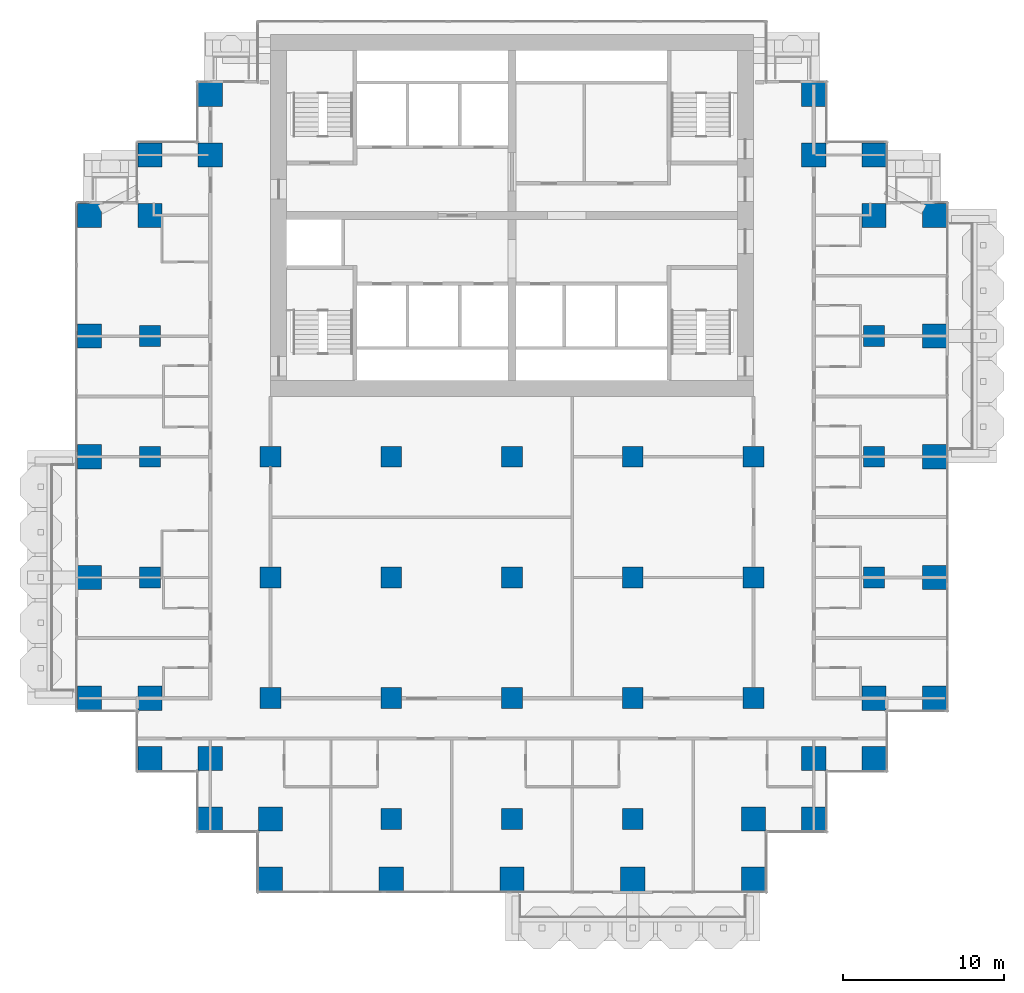
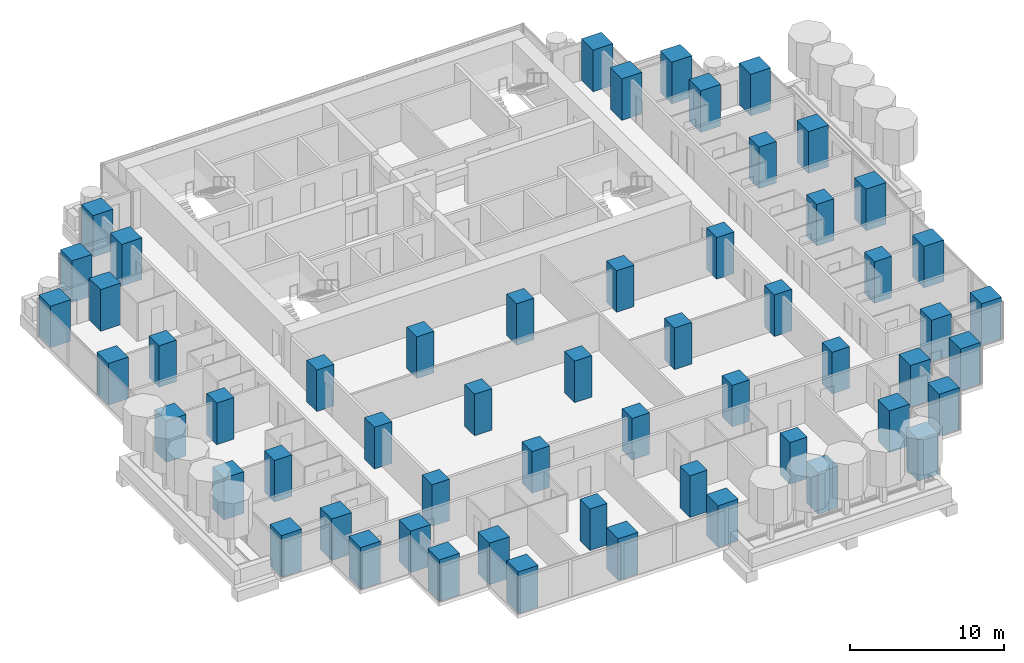
# One storey, part 1 of 19: 57 columns.
"""IFC4 building model written with IfcOpenShell, lengths in metres."""

from ifc_helpers import new_model, si_unit, direction, frame, origin, origin_2d, place, context, subcontext, project, spatial, rectangle, extrude, material, material_profile, profile_set, type_object, element, save


model = new_model("IFC4")

# Units and contexts
model_context = context("Model", 3, precision=1e-05, world=origin(), true_north=direction((0.0, 1.0)))
body_context = subcontext(model_context, "Body", "Model", "MODEL_VIEW")
ifc_project = project(units=[si_unit("LENGTHUNIT", "METRE"), si_unit("AREAUNIT", "SQUARE_METRE"), si_unit("VOLUMEUNIT", "CUBIC_METRE"), si_unit("PLANEANGLEUNIT", "RADIAN"), si_unit("MASSUNIT", "GRAM", prefix="KILO")], contexts=[model_context])

# Site, building, storey
site_placement = place(None, origin())
site = spatial("IfcSite", under=ifc_project, at=site_placement, CompositionType="ELEMENT")
building_placement = place(site_placement, origin())
building = spatial("IfcBuilding", under=site, at=building_placement, Name="Pilkhan Gate Tower", CompositionType="ELEMENT")
storey_placement = place(building_placement, frame((0.0, 0.0, 59.300048828125)))
storey = spatial("IfcBuildingStorey", under=building, at=storey_placement, Name="L12", CompositionType="ELEMENT", Elevation=59.300048828125)

# Columns
ifc_material = material(Name="Concrete C70/85", Category="concrete")
ifc_material_profile_1 = material_profile(ifc_material, rectangle(XDim=1.300048828125, YDim=1.300048828125, at=origin_2d()), Name="RC 1300x1300")
ifc_profile_set_1 = profile_set([ifc_material_profile_1], Name="Concrete C70/85")
column_type_1 = type_object("IfcColumnType", Name="Column C130 RC 1300x1300 C70/85", PredefinedType="COLUMN", material=ifc_profile_set_1)
for number, where, z_axis, x_axis, name in (
    (1, (52.5, 60.0, 0.0), (0.0, 0.0, 1.0), (1.0, 0.0, 0.0), "Column 5/F L12"),
    (2, (52.5, 67.5, 0.0), (0.0, 0.0, 1.0), (1.0, 0.0, 0.0), "Column 5/H L12"),
    (3, (52.5, 75.0, 0.0), (0.0, 0.0, 1.0), (1.0, 0.0, 0.0), "Column 5/K L12"),
    (4, (60.0, 52.5, 0.0), (0.0, 0.0, 1.0), (1.0, 0.0, 0.0), "Column 7/D L12"),
    (5, (60.0, 60.0, 0.0), (0.0, 0.0, 1.0), (1.0, 0.0, 0.0), "Column 7/F L12"),
    (6, (60.0, 67.5, 0.0), (0.0, 0.0, 1.0), (1.0, 0.0, 0.0), "Column 7/H L12"),
    (7, (67.5, 45.0, 0.0), (0.0, 0.0, 1.0), (1.0, 0.0, 0.0), "Column 9/B L12"),
    (8, (67.5, 52.5, 0.0), (0.0, 0.0, 1.0), (1.0, 0.0, 0.0), "Column 9/D L12"),
    (9, (67.5, 60.0, 0.0), (0.0, 0.0, 1.0), (1.0, 0.0, 0.0), "Column 9/F L12"),
    (10, (67.5, 67.5, 0.0), (0.0, 0.0, 1.0), (1.0, 0.0, 0.0), "Column 9/H L12"),
    (11, (75.0, 45.0, 0.0), (0.0, 0.0, 1.0), (1.0, 0.0, 0.0), "Column 11/B L12"),
    (12, (75.0, 52.5, 0.0), (0.0, 0.0, 1.0), (1.0, 0.0, 0.0), "Column 11/D L12"),
    (13, (75.0, 60.0, 0.0), (0.0, 0.0, 1.0), (1.0, 0.0, 0.0), "Column 11/F L12"),
    (14, (75.0, 67.5, 0.0), (0.0, 0.0, 1.0), (1.0, 0.0, 0.0), "Column 11/H L12"),
    (15, (82.5, 45.0, 0.0), (0.0, 0.0, 1.0), (1.0, 0.0, 0.0), "Column 13/B L12"),
    (16, (82.5, 52.5, 0.0), (0.0, 0.0, 1.0), (1.0, 0.0, 0.0), "Column 13/D L12"),
    (17, (82.5, 60.0, 0.0), (0.0, 0.0, 1.0), (1.0, 0.0, 0.0), "Column 13/F L12"),
    (18, (82.5, 67.5, 0.0), (0.0, 0.0, 1.0), (1.0, 0.0, 0.0), "Column 13/H L12"),
    (19, (90.0, 52.5, 0.0), (0.0, 0.0, 1.0), (1.0, 0.0, 0.0), "Column 15/D L12"),
    (20, (90.0, 60.0, 0.0), (0.0, 0.0, 1.0), (1.0, 0.0, 0.0), "Column 15/F L12"),
    (21, (90.0, 67.5, 0.0), (0.0, 0.0, 1.0), (1.0, 0.0, 0.0), "Column 15/H L12"),
    (22, (97.5, 60.0, 0.0), (0.0, 0.0, 1.0), (1.0, 0.0, 0.0), "Column 17/F L12"),
    (23, (97.5, 67.5, 0.0), (0.0, 0.0, 1.0), (1.0, 0.0, 0.0), "Column 17/H L12"),
    (24, (97.5, 75.0, 0.0), (0.0, 0.0, 1.0), (1.0, 0.0, 0.0), "Column 17/K L12"),
):
    element("IfcColumn", number, at=place(storey_placement, frame(where, z_axis=z_axis, x_axis=x_axis)), inside=storey, type_object=column_type_1, Name=name, PredefinedType="COLUMN", context=body_context, shape_type="SweptSolid", body=[
        extrude(rectangle(XDim=1.300048828125, YDim=1.300048828125, at=origin_2d()), origin(), (0.0, 0.0, 1.0), 3.300048828125),
    ])
ifc_material_profile_2 = material_profile(ifc_material, rectangle(XDim=1.5, YDim=1.5, at=origin_2d()), Name="RC 1500x1500")
ifc_profile_set_2 = profile_set([ifc_material_profile_2], Name="Concrete C70/85")
column_type_2 = type_object("IfcColumnType", Name="Column C150 RC 1500x1500 C70/85", PredefinedType="COLUMN", material=ifc_profile_set_2)
for number, where, z_axis, x_axis, name in (
    (25, (48.75, 52.5, 0.0), (0.0, 0.0, 1.0), (1.0, 0.0, 0.0), "Column 4/D L12"),
    (26, (48.75, 60.0, 0.0), (0.0, 0.0, 1.0), (1.0, 0.0, 0.0), "Column 4/F L12"),
    (27, (48.75, 67.5, 0.0), (0.0, 0.0, 1.0), (1.0, 0.0, 0.0), "Column 4/H L12"),
    (28, (48.75, 75.0, 0.0), (0.0, 0.0, 1.0), (1.0, 0.0, 0.0), "Column 4/K L12"),
    (29, (48.75, 82.5, 0.0), (0.0, 0.0, 1.0), (1.0, 0.0, 0.0), "Column 4/M L12"),
    (30, (52.5, 48.75, 0.0), (0.0, 0.0, 1.0), (1.0, 0.0, 0.0), "Column 5/C L12"),
    (31, (52.5, 52.5, 0.0), (0.0, 0.0, 1.0), (1.0, 0.0, 0.0), "Column 5/D L12"),
    (32, (52.5, 82.5, 0.0), (0.0, 0.0, 1.0), (1.0, 0.0, 0.0), "Column 5/M L12"),
    (33, (52.5, 86.25, 0.0), (0.0, 0.0, 1.0), (1.0, 0.0, 0.0), "Column 5/N L12"),
    (34, (56.25, 45.0, 0.0), (0.0, 0.0, 1.0), (1.0, 0.0, 0.0), "Column 6/B L12"),
    (35, (56.25, 48.75, 0.0), (0.0, 0.0, 1.0), (1.0, 0.0, 0.0), "Column 6/C L12"),
    (36, (56.25, 86.25, 0.0), (0.0, 0.0, 1.0), (1.0, 0.0, 0.0), "Column 6/N L12"),
    (37, (56.25, 90.0, 0.0), (0.0, 0.0, 1.0), (1.0, 0.0, 0.0), "Column 6/P L12"),
    (38, (60.0, 41.25, 0.0), (0.0, 0.0, 1.0), (1.0, 0.0, 0.0), "Column 7/A L12"),
    (39, (60.0, 45.0, 0.0), (0.0, 0.0, 1.0), (1.0, 0.0, 0.0), "Column 7/B L12"),
    (40, (67.5, 41.25, 0.0), (0.0, 0.0, 1.0), (1.0, 0.0, 0.0), "Column 9/A L12"),
    (41, (75.0, 41.25, 0.0), (0.0, 0.0, 1.0), (1.0, 0.0, 0.0), "Column 11/A L12"),
    (42, (82.5, 41.25, 0.0), (0.0, 0.0, 1.0), (1.0, 0.0, 0.0), "Column 13/A L12"),
    (43, (90.0, 41.25, 0.0), (0.0, 0.0, 1.0), (1.0, 0.0, 0.0), "Column 15/A L12"),
    (44, (90.0, 45.0, 0.0), (0.0, 0.0, 1.0), (1.0, 0.0, 0.0), "Column 15/B L12"),
    (45, (93.75, 45.0, 0.0), (0.0, 0.0, 1.0), (1.0, 0.0, 0.0), "Column 16/B L12"),
    (46, (93.75, 48.75, 0.0), (0.0, 0.0, 1.0), (1.0, 0.0, 0.0), "Column 16/C L12"),
    (47, (93.75, 86.25, 0.0), (0.0, 0.0, 1.0), (1.0, 0.0, 0.0), "Column 16/N L12"),
    (48, (93.75, 90.0, 0.0), (0.0, 0.0, 1.0), (1.0, 0.0, 0.0), "Column 16/P L12"),
    (49, (97.5, 48.75, 0.0), (0.0, 0.0, 1.0), (1.0, 0.0, 0.0), "Column 17/C L12"),
    (50, (97.5, 52.5, 0.0), (0.0, 0.0, 1.0), (1.0, 0.0, 0.0), "Column 17/D L12"),
    (51, (97.5, 82.5, 0.0), (0.0, 0.0, 1.0), (1.0, 0.0, 0.0), "Column 17/M L12"),
    (52, (97.5, 86.25, 0.0), (0.0, 0.0, 1.0), (1.0, 0.0, 0.0), "Column 17/N L12"),
    (53, (101.25, 52.5, 0.0), (0.0, 0.0, 1.0), (1.0, 0.0, 0.0), "Column 18/D L12"),
    (54, (101.25, 60.0, 0.0), (0.0, 0.0, 1.0), (1.0, 0.0, 0.0), "Column 18/F L12"),
    (55, (101.25, 67.5, 0.0), (0.0, 0.0, 1.0), (1.0, 0.0, 0.0), "Column 18/H L12"),
    (56, (101.25, 75.0, 0.0), (0.0, 0.0, 1.0), (1.0, 0.0, 0.0), "Column 18/K L12"),
    (57, (101.25, 82.5, 0.0), (0.0, 0.0, 1.0), (1.0, 0.0, 0.0), "Column 18/M L12"),
):
    element("IfcColumn", number, at=place(storey_placement, frame(where, z_axis=z_axis, x_axis=x_axis)), inside=storey, type_object=column_type_2, Name=name, PredefinedType="COLUMN", context=body_context, shape_type="SweptSolid", body=[
        extrude(rectangle(XDim=1.5, YDim=1.5, at=origin_2d()), origin(), (0.0, 0.0, 1.0), 3.300048828125),
    ])

save(model, "model.ifc")
